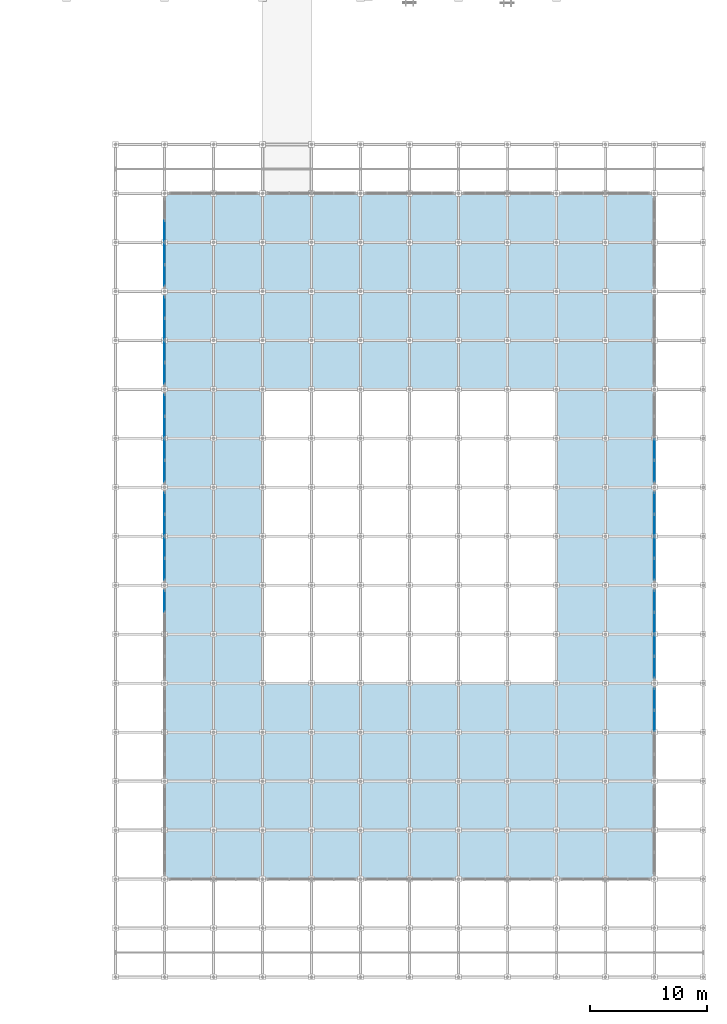
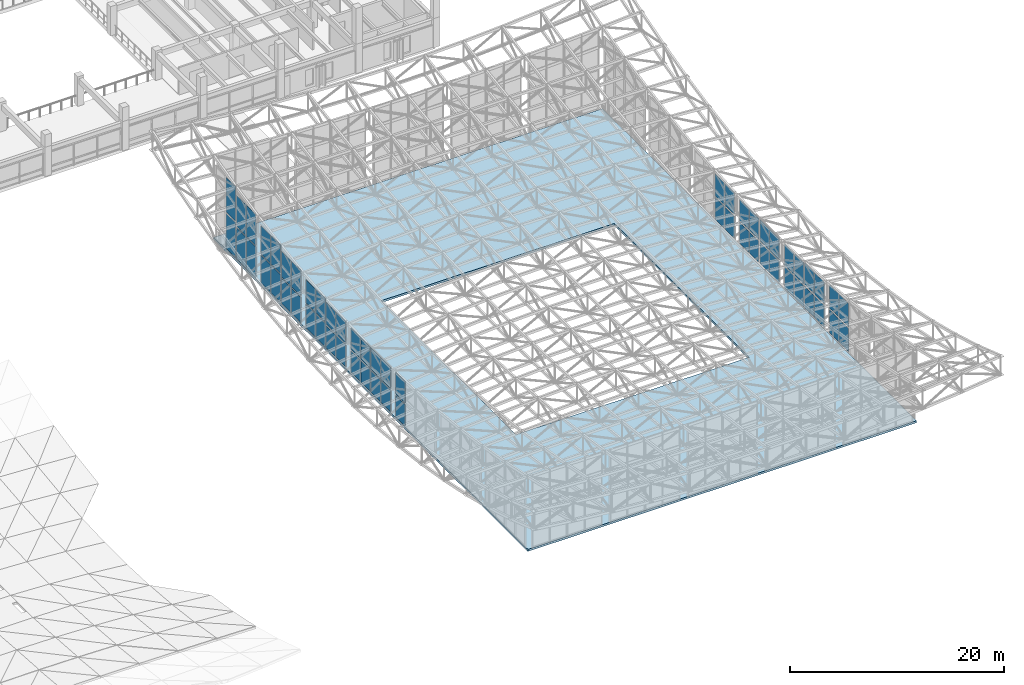
# One storey, part 70 of 123: 56 plates, 1 slab, 15 elements without a shape of their own.
"""IFC4 building model written with IfcOpenShell, lengths in metres."""

from ifc_helpers import new_model, si_unit, direction, frame, origin, origin_2d, place, context, subcontext, project, spatial, polyline, rectangle, outline, extrude, material, layer, layer_set, type_object, element, aggregate, save


model = new_model("IFC4")

# Units and contexts
model_context = context("Model", 3, precision=1e-05, world=origin(), true_north=direction((0.0, 1.0)))
body_context = subcontext(model_context, "Body", "Model", "MODEL_VIEW")
ifc_project = project(units=[si_unit("LENGTHUNIT", "METRE"), si_unit("AREAUNIT", "SQUARE_METRE"), si_unit("VOLUMEUNIT", "CUBIC_METRE"), si_unit("PLANEANGLEUNIT", "RADIAN"), si_unit("MASSUNIT", "GRAM", prefix="KILO")], contexts=[model_context])

# Site, building, storey
site_placement = place(None, origin())
site = spatial("IfcSite", under=ifc_project, at=site_placement, CompositionType="ELEMENT")
building_placement = place(site_placement, origin())
building = spatial("IfcBuilding", under=site, at=building_placement, Name="Cumbredor Promenade Congress Hotel", CompositionType="ELEMENT")
storey_placement = place(building_placement, frame((0.0, 0.0, 11.760009765625)))
storey = spatial("IfcBuildingStorey", under=building, at=storey_placement, Name="L03", CompositionType="ELEMENT", Elevation=11.760009765625)

# Curtain wall, plates
ifc_material_1 = material(Name="Thermally broken anodized aluminium and low-E glass", Category="aluminium")
curtain_wall_type = type_object("IfcCurtainWallType", Name="Stepped Pavilion Clerestory Curtain Wall CW-06", PredefinedType="NOTDEFINED", material=ifc_material_1)
curtain_wall_1_placement = place(storey_placement, origin())
curtain_wall_1 = element("IfcCurtainWall", 1, at=curtain_wall_1_placement, inside=storey, type_object=curtain_wall_type, Name="Grand Ballroom Pavilion W Glazed Clerestory 6", PredefinedType="NOTDEFINED")
ifc_material_2 = material(Name="Laminated low-E solar-control glass", Category="glass")
ifc_layer_1 = layer(ifc_material_2, 0.031982421875, Name="Laminated low-E solar-control glass", Category="glass")
ifc_layer_set_1 = layer_set([ifc_layer_1], Name="Laminated low-E solar-control glass")
plate_type = type_object("IfcPlateType", Name="Clerestory Glazed Vision Panel PNL-07", PredefinedType="CURTAIN_PANEL", material=ifc_layer_set_1)
plate_1_placement = place(storey_placement, frame((142.800048828125, 32.22998046875, 0.169921875), z_axis=(0.0, 0.0, 1.0), x_axis=(0.0, 1.0, 0.0)))
plate_1 = element("IfcPlate", 2, at=plate_1_placement, type_object=plate_type, Name="Grand Ballroom Pavilion W Glazed Clerestory 6 Glazing Panel 2.1", PredefinedType="CURTAIN_PANEL", context=body_context, shape_type="SweptSolid", body=[
    extrude(rectangle(XDim=1.77490234375, YDim=0.031982421875, at=origin_2d()), origin(), (0.0, 0.0, 1.0), 2.43994140625),
])
plate_2_placement = place(storey_placement, frame((142.800048828125, 32.22998046875, 2.7900390625), z_axis=(0.0, 0.0, 1.0), x_axis=(0.0, 1.0, 0.0)))
plate_2 = element("IfcPlate", 3, at=plate_2_placement, type_object=plate_type, Name="Grand Ballroom Pavilion W Glazed Clerestory 6 Glazing Panel 2.2", PredefinedType="CURTAIN_PANEL", context=body_context, shape_type="SweptSolid", body=[
    extrude(rectangle(XDim=1.77490234375, YDim=0.031982421875, at=origin_2d()), origin(), (0.0, 0.0, 1.0), 2.429931640625),
])
aggregate(curtain_wall_1, [plate_1, plate_2])

curtain_wall_2_placement = place(storey_placement, origin())
curtain_wall_2 = element("IfcCurtainWall", 4, at=curtain_wall_2_placement, inside=storey, type_object=curtain_wall_type, Name="Grand Ballroom Pavilion W Glazed Clerestory 7", PredefinedType="NOTDEFINED")
plate_3_placement = place(storey_placement, frame((142.800048828125, 34.969970703125, 0.169921875), z_axis=(0.0, 0.0, 1.0), x_axis=(0.0, 1.0, 0.0)))
plate_3 = element("IfcPlate", 5, at=plate_3_placement, type_object=plate_type, Name="Grand Ballroom Pavilion W Glazed Clerestory 7 Glazing Panel 1.1", PredefinedType="CURTAIN_PANEL", context=body_context, shape_type="SweptSolid", body=[
    extrude(rectangle(XDim=1.77490234375, YDim=0.031982421875, at=origin_2d()), origin(), (0.0, 0.0, 1.0), 2.43994140625),
])
plate_4_placement = place(storey_placement, frame((142.800048828125, 34.969970703125, 2.7900390625), z_axis=(0.0, 0.0, 1.0), x_axis=(0.0, 1.0, 0.0)))
plate_4 = element("IfcPlate", 6, at=plate_4_placement, type_object=plate_type, Name="Grand Ballroom Pavilion W Glazed Clerestory 7 Glazing Panel 1.2", PredefinedType="CURTAIN_PANEL", context=body_context, shape_type="SweptSolid", body=[
    extrude(rectangle(XDim=1.77490234375, YDim=0.031982421875, at=origin_2d()), origin(), (0.0, 0.0, 1.0), 2.429931640625),
])
plate_5_placement = place(storey_placement, frame((142.800048828125, 36.830078125, 0.169921875), z_axis=(0.0, 0.0, 1.0), x_axis=(0.0, 1.0, 0.0)))
plate_5 = element("IfcPlate", 7, at=plate_5_placement, type_object=plate_type, Name="Grand Ballroom Pavilion W Glazed Clerestory 7 Glazing Panel 2.1", PredefinedType="CURTAIN_PANEL", context=body_context, shape_type="SweptSolid", body=[
    extrude(rectangle(XDim=1.77490234375, YDim=0.031982421875, at=origin_2d()), origin(), (0.0, 0.0, 1.0), 2.43994140625),
])
plate_6_placement = place(storey_placement, frame((142.800048828125, 36.830078125, 2.7900390625), z_axis=(0.0, 0.0, 1.0), x_axis=(0.0, 1.0, 0.0)))
plate_6 = element("IfcPlate", 8, at=plate_6_placement, type_object=plate_type, Name="Grand Ballroom Pavilion W Glazed Clerestory 7 Glazing Panel 2.2", PredefinedType="CURTAIN_PANEL", context=body_context, shape_type="SweptSolid", body=[
    extrude(rectangle(XDim=1.77490234375, YDim=0.031982421875, at=origin_2d()), origin(), (0.0, 0.0, 1.0), 2.429931640625),
])
aggregate(curtain_wall_2, [plate_3, plate_4, plate_5, plate_6])

curtain_wall_3_placement = place(storey_placement, origin())
curtain_wall_3 = element("IfcCurtainWall", 9, at=curtain_wall_3_placement, inside=storey, type_object=curtain_wall_type, Name="Grand Ballroom Pavilion W Glazed Clerestory 8", PredefinedType="NOTDEFINED")
plate_7_placement = place(storey_placement, frame((142.800048828125, 38.77001953125, 0.169921875), z_axis=(0.0, 0.0, 1.0), x_axis=(0.0, 1.0, 0.0)))
plate_7 = element("IfcPlate", 10, at=plate_7_placement, type_object=plate_type, Name="Grand Ballroom Pavilion W Glazed Clerestory 8 Glazing Panel 1.1", PredefinedType="CURTAIN_PANEL", context=body_context, shape_type="SweptSolid", body=[
    extrude(rectangle(XDim=1.77490234375, YDim=0.031982421875, at=origin_2d()), origin(), (0.0, 0.0, 1.0), 2.43994140625),
])
plate_8_placement = place(storey_placement, frame((142.800048828125, 38.77001953125, 2.7900390625), z_axis=(0.0, 0.0, 1.0), x_axis=(0.0, 1.0, 0.0)))
plate_8 = element("IfcPlate", 11, at=plate_8_placement, type_object=plate_type, Name="Grand Ballroom Pavilion W Glazed Clerestory 8 Glazing Panel 1.2", PredefinedType="CURTAIN_PANEL", context=body_context, shape_type="SweptSolid", body=[
    extrude(rectangle(XDim=1.77490234375, YDim=0.031982421875, at=origin_2d()), origin(), (0.0, 0.0, 1.0), 2.429931640625),
])
plate_9_placement = place(storey_placement, frame((142.800048828125, 40.6298828125, 0.169921875), z_axis=(0.0, 0.0, 1.0), x_axis=(0.0, 1.0, 0.0)))
plate_9 = element("IfcPlate", 12, at=plate_9_placement, type_object=plate_type, Name="Grand Ballroom Pavilion W Glazed Clerestory 8 Glazing Panel 2.1", PredefinedType="CURTAIN_PANEL", context=body_context, shape_type="SweptSolid", body=[
    extrude(rectangle(XDim=1.77490234375, YDim=0.031982421875, at=origin_2d()), origin(), (0.0, 0.0, 1.0), 2.43994140625),
])
plate_10_placement = place(storey_placement, frame((142.800048828125, 40.6298828125, 2.7900390625), z_axis=(0.0, 0.0, 1.0), x_axis=(0.0, 1.0, 0.0)))
plate_10 = element("IfcPlate", 13, at=plate_10_placement, type_object=plate_type, Name="Grand Ballroom Pavilion W Glazed Clerestory 8 Glazing Panel 2.2", PredefinedType="CURTAIN_PANEL", context=body_context, shape_type="SweptSolid", body=[
    extrude(rectangle(XDim=1.77490234375, YDim=0.031982421875, at=origin_2d()), origin(), (0.0, 0.0, 1.0), 2.429931640625),
])
aggregate(curtain_wall_3, [plate_7, plate_8, plate_9, plate_10])

curtain_wall_4_placement = place(storey_placement, origin())
curtain_wall_4 = element("IfcCurtainWall", 14, at=curtain_wall_4_placement, inside=storey, type_object=curtain_wall_type, Name="Grand Ballroom Pavilion W Glazed Clerestory 9", PredefinedType="NOTDEFINED")
plate_11_placement = place(storey_placement, frame((142.800048828125, 43.3701171875, 0.169921875), z_axis=(0.0, 0.0, 1.0), x_axis=(0.0, 1.0, 0.0)))
plate_11 = element("IfcPlate", 15, at=plate_11_placement, type_object=plate_type, Name="Grand Ballroom Pavilion W Glazed Clerestory 9 Glazing Panel 1.1", PredefinedType="CURTAIN_PANEL", context=body_context, shape_type="SweptSolid", body=[
    extrude(rectangle(XDim=1.77490234375, YDim=0.031982421875, at=origin_2d()), origin(), (0.0, 0.0, 1.0), 2.510009765625),
])
plate_12_placement = place(storey_placement, frame((142.800048828125, 43.3701171875, 2.860107421875), z_axis=(0.0, 0.0, 1.0), x_axis=(0.0, 1.0, 0.0)))
plate_12 = element("IfcPlate", 16, at=plate_12_placement, type_object=plate_type, Name="Grand Ballroom Pavilion W Glazed Clerestory 9 Glazing Panel 1.2", PredefinedType="CURTAIN_PANEL", context=body_context, shape_type="SweptSolid", body=[
    extrude(rectangle(XDim=1.77490234375, YDim=0.031982421875, at=origin_2d()), origin(), (0.0, 0.0, 1.0), 2.5),
])
plate_13_placement = place(storey_placement, frame((142.800048828125, 45.22998046875, 0.169921875), z_axis=(0.0, 0.0, 1.0), x_axis=(0.0, 1.0, 0.0)))
plate_13 = element("IfcPlate", 17, at=plate_13_placement, type_object=plate_type, Name="Grand Ballroom Pavilion W Glazed Clerestory 9 Glazing Panel 2.1", PredefinedType="CURTAIN_PANEL", context=body_context, shape_type="SweptSolid", body=[
    extrude(rectangle(XDim=1.77490234375, YDim=0.031982421875, at=origin_2d()), origin(), (0.0, 0.0, 1.0), 2.510009765625),
])
plate_14_placement = place(storey_placement, frame((142.800048828125, 45.22998046875, 2.860107421875), z_axis=(0.0, 0.0, 1.0), x_axis=(0.0, 1.0, 0.0)))
plate_14 = element("IfcPlate", 18, at=plate_14_placement, type_object=plate_type, Name="Grand Ballroom Pavilion W Glazed Clerestory 9 Glazing Panel 2.2", PredefinedType="CURTAIN_PANEL", context=body_context, shape_type="SweptSolid", body=[
    extrude(rectangle(XDim=1.77490234375, YDim=0.031982421875, at=origin_2d()), origin(), (0.0, 0.0, 1.0), 2.5),
])
aggregate(curtain_wall_4, [plate_11, plate_12, plate_13, plate_14])

curtain_wall_5_placement = place(storey_placement, origin())
curtain_wall_5 = element("IfcCurtainWall", 19, at=curtain_wall_5_placement, inside=storey, type_object=curtain_wall_type, Name="Grand Ballroom Pavilion W Glazed Clerestory 10", PredefinedType="NOTDEFINED")
plate_15_placement = place(storey_placement, frame((142.800048828125, 47.169921875, 0.169921875), z_axis=(0.0, 0.0, 1.0), x_axis=(0.0, 1.0, 0.0)))
plate_15 = element("IfcPlate", 20, at=plate_15_placement, type_object=plate_type, Name="Grand Ballroom Pavilion W Glazed Clerestory 10 Glazing Panel 1.1", PredefinedType="CURTAIN_PANEL", context=body_context, shape_type="SweptSolid", body=[
    extrude(rectangle(XDim=1.77490234375, YDim=0.031982421875, at=origin_2d()), origin(), (0.0, 0.0, 1.0), 2.659912109375),
])
plate_16_placement = place(storey_placement, frame((142.800048828125, 47.169921875, 3.010009765625), z_axis=(0.0, 0.0, 1.0), x_axis=(0.0, 1.0, 0.0)))
plate_16 = element("IfcPlate", 21, at=plate_16_placement, type_object=plate_type, Name="Grand Ballroom Pavilion W Glazed Clerestory 10 Glazing Panel 1.2", PredefinedType="CURTAIN_PANEL", context=body_context, shape_type="SweptSolid", body=[
    extrude(rectangle(XDim=1.77490234375, YDim=0.031982421875, at=origin_2d()), origin(), (0.0, 0.0, 1.0), 2.64990234375),
])
plate_17_placement = place(storey_placement, frame((142.800048828125, 49.030029296875, 0.169921875), z_axis=(0.0, 0.0, 1.0), x_axis=(0.0, 1.0, 0.0)))
plate_17 = element("IfcPlate", 22, at=plate_17_placement, type_object=plate_type, Name="Grand Ballroom Pavilion W Glazed Clerestory 10 Glazing Panel 2.1", PredefinedType="CURTAIN_PANEL", context=body_context, shape_type="SweptSolid", body=[
    extrude(rectangle(XDim=1.77490234375, YDim=0.031982421875, at=origin_2d()), origin(), (0.0, 0.0, 1.0), 2.659912109375),
])
plate_18_placement = place(storey_placement, frame((142.800048828125, 49.030029296875, 3.010009765625), z_axis=(0.0, 0.0, 1.0), x_axis=(0.0, 1.0, 0.0)))
plate_18 = element("IfcPlate", 23, at=plate_18_placement, type_object=plate_type, Name="Grand Ballroom Pavilion W Glazed Clerestory 10 Glazing Panel 2.2", PredefinedType="CURTAIN_PANEL", context=body_context, shape_type="SweptSolid", body=[
    extrude(rectangle(XDim=1.77490234375, YDim=0.031982421875, at=origin_2d()), origin(), (0.0, 0.0, 1.0), 2.64990234375),
])
aggregate(curtain_wall_5, [plate_15, plate_16, plate_17, plate_18])

curtain_wall_6_placement = place(storey_placement, origin())
curtain_wall_6 = element("IfcCurtainWall", 24, at=curtain_wall_6_placement, inside=storey, type_object=curtain_wall_type, Name="Grand Ballroom Pavilion W Glazed Clerestory 11", PredefinedType="NOTDEFINED")
plate_19_placement = place(storey_placement, frame((142.800048828125, 51.77001953125, 0.169921875), z_axis=(0.0, 0.0, 1.0), x_axis=(0.0, 1.0, 0.0)))
plate_19 = element("IfcPlate", 25, at=plate_19_placement, type_object=plate_type, Name="Grand Ballroom Pavilion W Glazed Clerestory 11 Glazing Panel 1.1", PredefinedType="CURTAIN_PANEL", context=body_context, shape_type="SweptSolid", body=[
    extrude(rectangle(XDim=1.77490234375, YDim=0.031982421875, at=origin_2d()), origin(), (0.0, 0.0, 1.0), 2.8701171875),
])
plate_20_placement = place(storey_placement, frame((142.800048828125, 51.77001953125, 3.219970703125), z_axis=(0.0, 0.0, 1.0), x_axis=(0.0, 1.0, 0.0)))
plate_20 = element("IfcPlate", 26, at=plate_20_placement, type_object=plate_type, Name="Grand Ballroom Pavilion W Glazed Clerestory 11 Glazing Panel 1.2", PredefinedType="CURTAIN_PANEL", context=body_context, shape_type="SweptSolid", body=[
    extrude(rectangle(XDim=1.77490234375, YDim=0.031982421875, at=origin_2d()), origin(), (0.0, 0.0, 1.0), 2.8701171875),
])
plate_21_placement = place(storey_placement, frame((142.800048828125, 53.6298828125, 0.169921875), z_axis=(0.0, 0.0, 1.0), x_axis=(0.0, 1.0, 0.0)))
plate_21 = element("IfcPlate", 27, at=plate_21_placement, type_object=plate_type, Name="Grand Ballroom Pavilion W Glazed Clerestory 11 Glazing Panel 2.1", PredefinedType="CURTAIN_PANEL", context=body_context, shape_type="SweptSolid", body=[
    extrude(rectangle(XDim=1.77490234375, YDim=0.031982421875, at=origin_2d()), origin(), (0.0, 0.0, 1.0), 2.8701171875),
])
plate_22_placement = place(storey_placement, frame((142.800048828125, 53.6298828125, 3.219970703125), z_axis=(0.0, 0.0, 1.0), x_axis=(0.0, 1.0, 0.0)))
plate_22 = element("IfcPlate", 28, at=plate_22_placement, type_object=plate_type, Name="Grand Ballroom Pavilion W Glazed Clerestory 11 Glazing Panel 2.2", PredefinedType="CURTAIN_PANEL", context=body_context, shape_type="SweptSolid", body=[
    extrude(rectangle(XDim=1.77490234375, YDim=0.031982421875, at=origin_2d()), origin(), (0.0, 0.0, 1.0), 2.8701171875),
])
aggregate(curtain_wall_6, [plate_19, plate_20, plate_21, plate_22])

curtain_wall_7_placement = place(storey_placement, origin())
curtain_wall_7 = element("IfcCurtainWall", 29, at=curtain_wall_7_placement, inside=storey, type_object=curtain_wall_type, Name="Grand Ballroom Pavilion W Glazed Clerestory 12", PredefinedType="NOTDEFINED")
plate_23_placement = place(storey_placement, frame((142.800048828125, 55.570068359375, 0.169921875), z_axis=(0.0, 0.0, 1.0), x_axis=(0.0, 1.0, 0.0)))
plate_23 = element("IfcPlate", 30, at=plate_23_placement, type_object=plate_type, Name="Grand Ballroom Pavilion W Glazed Clerestory 12 Glazing Panel 1.1", PredefinedType="CURTAIN_PANEL", context=body_context, shape_type="SweptSolid", body=[
    extrude(rectangle(XDim=1.77490234375, YDim=0.031982421875, at=origin_2d()), origin(), (0.0, 0.0, 1.0), 3.169921875),
])
plate_24_placement = place(storey_placement, frame((142.800048828125, 55.570068359375, 3.52001953125), z_axis=(0.0, 0.0, 1.0), x_axis=(0.0, 1.0, 0.0)))
plate_24 = element("IfcPlate", 31, at=plate_24_placement, type_object=plate_type, Name="Grand Ballroom Pavilion W Glazed Clerestory 12 Glazing Panel 1.2", PredefinedType="CURTAIN_PANEL", context=body_context, shape_type="SweptSolid", body=[
    extrude(rectangle(XDim=1.77490234375, YDim=0.031982421875, at=origin_2d()), origin(), (0.0, 0.0, 1.0), 3.159912109375),
])
plate_25_placement = place(storey_placement, frame((142.800048828125, 57.429931640625, 0.169921875), z_axis=(0.0, 0.0, 1.0), x_axis=(0.0, 1.0, 0.0)))
plate_25 = element("IfcPlate", 32, at=plate_25_placement, type_object=plate_type, Name="Grand Ballroom Pavilion W Glazed Clerestory 12 Glazing Panel 2.1", PredefinedType="CURTAIN_PANEL", context=body_context, shape_type="SweptSolid", body=[
    extrude(rectangle(XDim=1.77490234375, YDim=0.031982421875, at=origin_2d()), origin(), (0.0, 0.0, 1.0), 3.169921875),
])
plate_26_placement = place(storey_placement, frame((142.800048828125, 57.429931640625, 3.52001953125), z_axis=(0.0, 0.0, 1.0), x_axis=(0.0, 1.0, 0.0)))
plate_26 = element("IfcPlate", 33, at=plate_26_placement, type_object=plate_type, Name="Grand Ballroom Pavilion W Glazed Clerestory 12 Glazing Panel 2.2", PredefinedType="CURTAIN_PANEL", context=body_context, shape_type="SweptSolid", body=[
    extrude(rectangle(XDim=1.77490234375, YDim=0.031982421875, at=origin_2d()), origin(), (0.0, 0.0, 1.0), 3.159912109375),
])
aggregate(curtain_wall_7, [plate_23, plate_24, plate_25, plate_26])

curtain_wall_8_placement = place(storey_placement, origin())
curtain_wall_8 = element("IfcCurtainWall", 34, at=curtain_wall_8_placement, inside=storey, type_object=curtain_wall_type, Name="Grand Ballroom Pavilion W Glazed Clerestory 13", PredefinedType="NOTDEFINED")
plate_27_placement = place(storey_placement, frame((142.800048828125, 60.169921875, 0.169921875), z_axis=(0.0, 0.0, 1.0), x_axis=(0.0, 1.0, 0.0)))
plate_27 = element("IfcPlate", 35, at=plate_27_placement, type_object=plate_type, Name="Grand Ballroom Pavilion W Glazed Clerestory 13 Glazing Panel 1.1", PredefinedType="CURTAIN_PANEL", context=body_context, shape_type="SweptSolid", body=[
    extrude(rectangle(XDim=1.77490234375, YDim=0.031982421875, at=origin_2d()), origin(), (0.0, 0.0, 1.0), 3.530029296875),
])
plate_28_placement = place(storey_placement, frame((142.800048828125, 60.169921875, 3.8798828125), z_axis=(0.0, 0.0, 1.0), x_axis=(0.0, 1.0, 0.0)))
plate_28 = element("IfcPlate", 36, at=plate_28_placement, type_object=plate_type, Name="Grand Ballroom Pavilion W Glazed Clerestory 13 Glazing Panel 1.2", PredefinedType="CURTAIN_PANEL", context=body_context, shape_type="SweptSolid", body=[
    extrude(rectangle(XDim=1.77490234375, YDim=0.031982421875, at=origin_2d()), origin(), (0.0, 0.0, 1.0), 3.530029296875),
])
plate_29_placement = place(storey_placement, frame((142.800048828125, 62.030029296875, 0.169921875), z_axis=(0.0, 0.0, 1.0), x_axis=(0.0, 1.0, 0.0)))
plate_29 = element("IfcPlate", 37, at=plate_29_placement, type_object=plate_type, Name="Grand Ballroom Pavilion W Glazed Clerestory 13 Glazing Panel 2.1", PredefinedType="CURTAIN_PANEL", context=body_context, shape_type="SweptSolid", body=[
    extrude(rectangle(XDim=1.77490234375, YDim=0.031982421875, at=origin_2d()), origin(), (0.0, 0.0, 1.0), 3.530029296875),
])
plate_30_placement = place(storey_placement, frame((142.800048828125, 62.030029296875, 3.8798828125), z_axis=(0.0, 0.0, 1.0), x_axis=(0.0, 1.0, 0.0)))
plate_30 = element("IfcPlate", 38, at=plate_30_placement, type_object=plate_type, Name="Grand Ballroom Pavilion W Glazed Clerestory 13 Glazing Panel 2.2", PredefinedType="CURTAIN_PANEL", context=body_context, shape_type="SweptSolid", body=[
    extrude(rectangle(XDim=1.77490234375, YDim=0.031982421875, at=origin_2d()), origin(), (0.0, 0.0, 1.0), 3.530029296875),
])
aggregate(curtain_wall_8, [plate_27, plate_28, plate_29, plate_30])

curtain_wall_9_placement = place(storey_placement, origin())
curtain_wall_9 = element("IfcCurtainWall", 39, at=curtain_wall_9_placement, inside=storey, type_object=curtain_wall_type, Name="Grand Ballroom Pavilion W Glazed Clerestory 14", PredefinedType="NOTDEFINED")
plate_31_placement = place(storey_placement, frame((142.800048828125, 63.969970703125, 0.169921875), z_axis=(0.0, 0.0, 1.0), x_axis=(0.0, 1.0, 0.0)))
plate_31 = element("IfcPlate", 40, at=plate_31_placement, type_object=plate_type, Name="Grand Ballroom Pavilion W Glazed Clerestory 14 Glazing Panel 1.1", PredefinedType="CURTAIN_PANEL", context=body_context, shape_type="SweptSolid", body=[
    extrude(rectangle(XDim=1.77490234375, YDim=0.031982421875, at=origin_2d()), origin(), (0.0, 0.0, 1.0), 3.969970703125),
])
plate_32_placement = place(storey_placement, frame((142.800048828125, 63.969970703125, 4.31982421875), z_axis=(0.0, 0.0, 1.0), x_axis=(0.0, 1.0, 0.0)))
plate_32 = element("IfcPlate", 41, at=plate_32_placement, type_object=plate_type, Name="Grand Ballroom Pavilion W Glazed Clerestory 14 Glazing Panel 1.2", PredefinedType="CURTAIN_PANEL", context=body_context, shape_type="SweptSolid", body=[
    extrude(rectangle(XDim=1.77490234375, YDim=0.031982421875, at=origin_2d()), origin(), (0.0, 0.0, 1.0), 3.969970703125),
])
aggregate(curtain_wall_9, [plate_31, plate_32])

curtain_wall_10_placement = place(storey_placement, origin())
curtain_wall_10 = element("IfcCurtainWall", 42, at=curtain_wall_10_placement, inside=storey, type_object=curtain_wall_type, Name="Grand Ballroom Pavilion E Glazed Clerestory 4", PredefinedType="NOTDEFINED")
plate_33_placement = place(storey_placement, frame((184.800048828125, 21.969970703125, 0.169921875), z_axis=(0.0, 0.0, 1.0), x_axis=(0.0, 1.0, 0.0)))
plate_33 = element("IfcPlate", 43, at=plate_33_placement, type_object=plate_type, Name="Grand Ballroom Pavilion E Glazed Clerestory 4 Glazing Panel 1.1", PredefinedType="CURTAIN_PANEL", context=body_context, shape_type="SweptSolid", body=[
    extrude(rectangle(XDim=1.77490234375, YDim=0.031982421875, at=origin_2d()), origin(), (0.0, 0.0, 1.0), 2.659912109375),
])
plate_34_placement = place(storey_placement, frame((184.800048828125, 21.969970703125, 3.010009765625), z_axis=(0.0, 0.0, 1.0), x_axis=(0.0, 1.0, 0.0)))
plate_34 = element("IfcPlate", 44, at=plate_34_placement, type_object=plate_type, Name="Grand Ballroom Pavilion E Glazed Clerestory 4 Glazing Panel 1.2", PredefinedType="CURTAIN_PANEL", context=body_context, shape_type="SweptSolid", body=[
    extrude(rectangle(XDim=1.77490234375, YDim=0.031982421875, at=origin_2d()), origin(), (0.0, 0.0, 1.0), 2.64990234375),
])
plate_35_placement = place(storey_placement, frame((184.800048828125, 23.830078125, 0.169921875), z_axis=(0.0, 0.0, 1.0), x_axis=(0.0, 1.0, 0.0)))
plate_35 = element("IfcPlate", 45, at=plate_35_placement, type_object=plate_type, Name="Grand Ballroom Pavilion E Glazed Clerestory 4 Glazing Panel 2.1", PredefinedType="CURTAIN_PANEL", context=body_context, shape_type="SweptSolid", body=[
    extrude(rectangle(XDim=1.77490234375, YDim=0.031982421875, at=origin_2d()), origin(), (0.0, 0.0, 1.0), 2.659912109375),
])
plate_36_placement = place(storey_placement, frame((184.800048828125, 23.830078125, 3.010009765625), z_axis=(0.0, 0.0, 1.0), x_axis=(0.0, 1.0, 0.0)))
plate_36 = element("IfcPlate", 46, at=plate_36_placement, type_object=plate_type, Name="Grand Ballroom Pavilion E Glazed Clerestory 4 Glazing Panel 2.2", PredefinedType="CURTAIN_PANEL", context=body_context, shape_type="SweptSolid", body=[
    extrude(rectangle(XDim=1.77490234375, YDim=0.031982421875, at=origin_2d()), origin(), (0.0, 0.0, 1.0), 2.64990234375),
])
aggregate(curtain_wall_10, [plate_33, plate_34, plate_35, plate_36])

curtain_wall_11_placement = place(storey_placement, origin())
curtain_wall_11 = element("IfcCurtainWall", 47, at=curtain_wall_11_placement, inside=storey, type_object=curtain_wall_type, Name="Grand Ballroom Pavilion E Glazed Clerestory 5", PredefinedType="NOTDEFINED")
plate_37_placement = place(storey_placement, frame((184.800048828125, 26.570068359375, 0.169921875), z_axis=(0.0, 0.0, 1.0), x_axis=(0.0, 1.0, 0.0)))
plate_37 = element("IfcPlate", 48, at=plate_37_placement, type_object=plate_type, Name="Grand Ballroom Pavilion E Glazed Clerestory 5 Glazing Panel 1.1", PredefinedType="CURTAIN_PANEL", context=body_context, shape_type="SweptSolid", body=[
    extrude(rectangle(XDim=1.77490234375, YDim=0.031982421875, at=origin_2d()), origin(), (0.0, 0.0, 1.0), 2.510009765625),
])
plate_38_placement = place(storey_placement, frame((184.800048828125, 26.570068359375, 2.860107421875), z_axis=(0.0, 0.0, 1.0), x_axis=(0.0, 1.0, 0.0)))
plate_38 = element("IfcPlate", 49, at=plate_38_placement, type_object=plate_type, Name="Grand Ballroom Pavilion E Glazed Clerestory 5 Glazing Panel 1.2", PredefinedType="CURTAIN_PANEL", context=body_context, shape_type="SweptSolid", body=[
    extrude(rectangle(XDim=1.77490234375, YDim=0.031982421875, at=origin_2d()), origin(), (0.0, 0.0, 1.0), 2.5),
])
plate_39_placement = place(storey_placement, frame((184.800048828125, 28.429931640625, 0.169921875), z_axis=(0.0, 0.0, 1.0), x_axis=(0.0, 1.0, 0.0)))
plate_39 = element("IfcPlate", 50, at=plate_39_placement, type_object=plate_type, Name="Grand Ballroom Pavilion E Glazed Clerestory 5 Glazing Panel 2.1", PredefinedType="CURTAIN_PANEL", context=body_context, shape_type="SweptSolid", body=[
    extrude(rectangle(XDim=1.77490234375, YDim=0.031982421875, at=origin_2d()), origin(), (0.0, 0.0, 1.0), 2.510009765625),
])
plate_40_placement = place(storey_placement, frame((184.800048828125, 28.429931640625, 2.860107421875), z_axis=(0.0, 0.0, 1.0), x_axis=(0.0, 1.0, 0.0)))
plate_40 = element("IfcPlate", 51, at=plate_40_placement, type_object=plate_type, Name="Grand Ballroom Pavilion E Glazed Clerestory 5 Glazing Panel 2.2", PredefinedType="CURTAIN_PANEL", context=body_context, shape_type="SweptSolid", body=[
    extrude(rectangle(XDim=1.77490234375, YDim=0.031982421875, at=origin_2d()), origin(), (0.0, 0.0, 1.0), 2.5),
])
aggregate(curtain_wall_11, [plate_37, plate_38, plate_39, plate_40])

curtain_wall_12_placement = place(storey_placement, origin())
curtain_wall_12 = element("IfcCurtainWall", 52, at=curtain_wall_12_placement, inside=storey, type_object=curtain_wall_type, Name="Grand Ballroom Pavilion E Glazed Clerestory 6", PredefinedType="NOTDEFINED")
plate_41_placement = place(storey_placement, frame((184.800048828125, 30.3701171875, 0.169921875), z_axis=(0.0, 0.0, 1.0), x_axis=(0.0, 1.0, 0.0)))
plate_41 = element("IfcPlate", 53, at=plate_41_placement, type_object=plate_type, Name="Grand Ballroom Pavilion E Glazed Clerestory 6 Glazing Panel 1.1", PredefinedType="CURTAIN_PANEL", context=body_context, shape_type="SweptSolid", body=[
    extrude(rectangle(XDim=1.77490234375, YDim=0.031982421875, at=origin_2d()), origin(), (0.0, 0.0, 1.0), 2.43994140625),
])
plate_42_placement = place(storey_placement, frame((184.800048828125, 30.3701171875, 2.7900390625), z_axis=(0.0, 0.0, 1.0), x_axis=(0.0, 1.0, 0.0)))
plate_42 = element("IfcPlate", 54, at=plate_42_placement, type_object=plate_type, Name="Grand Ballroom Pavilion E Glazed Clerestory 6 Glazing Panel 1.2", PredefinedType="CURTAIN_PANEL", context=body_context, shape_type="SweptSolid", body=[
    extrude(rectangle(XDim=1.77490234375, YDim=0.031982421875, at=origin_2d()), origin(), (0.0, 0.0, 1.0), 2.429931640625),
])
plate_43_placement = place(storey_placement, frame((184.800048828125, 32.22998046875, 0.169921875), z_axis=(0.0, 0.0, 1.0), x_axis=(0.0, 1.0, 0.0)))
plate_43 = element("IfcPlate", 55, at=plate_43_placement, type_object=plate_type, Name="Grand Ballroom Pavilion E Glazed Clerestory 6 Glazing Panel 2.1", PredefinedType="CURTAIN_PANEL", context=body_context, shape_type="SweptSolid", body=[
    extrude(rectangle(XDim=1.77490234375, YDim=0.031982421875, at=origin_2d()), origin(), (0.0, 0.0, 1.0), 2.43994140625),
])
plate_44_placement = place(storey_placement, frame((184.800048828125, 32.22998046875, 2.7900390625), z_axis=(0.0, 0.0, 1.0), x_axis=(0.0, 1.0, 0.0)))
plate_44 = element("IfcPlate", 56, at=plate_44_placement, type_object=plate_type, Name="Grand Ballroom Pavilion E Glazed Clerestory 6 Glazing Panel 2.2", PredefinedType="CURTAIN_PANEL", context=body_context, shape_type="SweptSolid", body=[
    extrude(rectangle(XDim=1.77490234375, YDim=0.031982421875, at=origin_2d()), origin(), (0.0, 0.0, 1.0), 2.429931640625),
])
aggregate(curtain_wall_12, [plate_41, plate_42, plate_43, plate_44])

curtain_wall_13_placement = place(storey_placement, origin())
curtain_wall_13 = element("IfcCurtainWall", 57, at=curtain_wall_13_placement, inside=storey, type_object=curtain_wall_type, Name="Grand Ballroom Pavilion E Glazed Clerestory 7", PredefinedType="NOTDEFINED")
plate_45_placement = place(storey_placement, frame((184.800048828125, 34.969970703125, 0.169921875), z_axis=(0.0, 0.0, 1.0), x_axis=(0.0, 1.0, 0.0)))
plate_45 = element("IfcPlate", 58, at=plate_45_placement, type_object=plate_type, Name="Grand Ballroom Pavilion E Glazed Clerestory 7 Glazing Panel 1.1", PredefinedType="CURTAIN_PANEL", context=body_context, shape_type="SweptSolid", body=[
    extrude(rectangle(XDim=1.77490234375, YDim=0.031982421875, at=origin_2d()), origin(), (0.0, 0.0, 1.0), 2.43994140625),
])
plate_46_placement = place(storey_placement, frame((184.800048828125, 34.969970703125, 2.7900390625), z_axis=(0.0, 0.0, 1.0), x_axis=(0.0, 1.0, 0.0)))
plate_46 = element("IfcPlate", 59, at=plate_46_placement, type_object=plate_type, Name="Grand Ballroom Pavilion E Glazed Clerestory 7 Glazing Panel 1.2", PredefinedType="CURTAIN_PANEL", context=body_context, shape_type="SweptSolid", body=[
    extrude(rectangle(XDim=1.77490234375, YDim=0.031982421875, at=origin_2d()), origin(), (0.0, 0.0, 1.0), 2.429931640625),
])
plate_47_placement = place(storey_placement, frame((184.800048828125, 36.830078125, 0.169921875), z_axis=(0.0, 0.0, 1.0), x_axis=(0.0, 1.0, 0.0)))
plate_47 = element("IfcPlate", 60, at=plate_47_placement, type_object=plate_type, Name="Grand Ballroom Pavilion E Glazed Clerestory 7 Glazing Panel 2.1", PredefinedType="CURTAIN_PANEL", context=body_context, shape_type="SweptSolid", body=[
    extrude(rectangle(XDim=1.77490234375, YDim=0.031982421875, at=origin_2d()), origin(), (0.0, 0.0, 1.0), 2.43994140625),
])
plate_48_placement = place(storey_placement, frame((184.800048828125, 36.830078125, 2.7900390625), z_axis=(0.0, 0.0, 1.0), x_axis=(0.0, 1.0, 0.0)))
plate_48 = element("IfcPlate", 61, at=plate_48_placement, type_object=plate_type, Name="Grand Ballroom Pavilion E Glazed Clerestory 7 Glazing Panel 2.2", PredefinedType="CURTAIN_PANEL", context=body_context, shape_type="SweptSolid", body=[
    extrude(rectangle(XDim=1.77490234375, YDim=0.031982421875, at=origin_2d()), origin(), (0.0, 0.0, 1.0), 2.429931640625),
])
aggregate(curtain_wall_13, [plate_45, plate_46, plate_47, plate_48])

curtain_wall_14_placement = place(storey_placement, origin())
curtain_wall_14 = element("IfcCurtainWall", 62, at=curtain_wall_14_placement, inside=storey, type_object=curtain_wall_type, Name="Grand Ballroom Pavilion E Glazed Clerestory 8", PredefinedType="NOTDEFINED")
plate_49_placement = place(storey_placement, frame((184.800048828125, 38.77001953125, 0.169921875), z_axis=(0.0, 0.0, 1.0), x_axis=(0.0, 1.0, 0.0)))
plate_49 = element("IfcPlate", 63, at=plate_49_placement, type_object=plate_type, Name="Grand Ballroom Pavilion E Glazed Clerestory 8 Glazing Panel 1.1", PredefinedType="CURTAIN_PANEL", context=body_context, shape_type="SweptSolid", body=[
    extrude(rectangle(XDim=1.77490234375, YDim=0.031982421875, at=origin_2d()), origin(), (0.0, 0.0, 1.0), 2.43994140625),
])
plate_50_placement = place(storey_placement, frame((184.800048828125, 38.77001953125, 2.7900390625), z_axis=(0.0, 0.0, 1.0), x_axis=(0.0, 1.0, 0.0)))
plate_50 = element("IfcPlate", 64, at=plate_50_placement, type_object=plate_type, Name="Grand Ballroom Pavilion E Glazed Clerestory 8 Glazing Panel 1.2", PredefinedType="CURTAIN_PANEL", context=body_context, shape_type="SweptSolid", body=[
    extrude(rectangle(XDim=1.77490234375, YDim=0.031982421875, at=origin_2d()), origin(), (0.0, 0.0, 1.0), 2.429931640625),
])
plate_51_placement = place(storey_placement, frame((184.800048828125, 40.6298828125, 0.169921875), z_axis=(0.0, 0.0, 1.0), x_axis=(0.0, 1.0, 0.0)))
plate_51 = element("IfcPlate", 65, at=plate_51_placement, type_object=plate_type, Name="Grand Ballroom Pavilion E Glazed Clerestory 8 Glazing Panel 2.1", PredefinedType="CURTAIN_PANEL", context=body_context, shape_type="SweptSolid", body=[
    extrude(rectangle(XDim=1.77490234375, YDim=0.031982421875, at=origin_2d()), origin(), (0.0, 0.0, 1.0), 2.43994140625),
])
plate_52_placement = place(storey_placement, frame((184.800048828125, 40.6298828125, 2.7900390625), z_axis=(0.0, 0.0, 1.0), x_axis=(0.0, 1.0, 0.0)))
plate_52 = element("IfcPlate", 66, at=plate_52_placement, type_object=plate_type, Name="Grand Ballroom Pavilion E Glazed Clerestory 8 Glazing Panel 2.2", PredefinedType="CURTAIN_PANEL", context=body_context, shape_type="SweptSolid", body=[
    extrude(rectangle(XDim=1.77490234375, YDim=0.031982421875, at=origin_2d()), origin(), (0.0, 0.0, 1.0), 2.429931640625),
])
aggregate(curtain_wall_14, [plate_49, plate_50, plate_51, plate_52])

curtain_wall_15_placement = place(storey_placement, origin())
curtain_wall_15 = element("IfcCurtainWall", 67, at=curtain_wall_15_placement, inside=storey, type_object=curtain_wall_type, Name="Grand Ballroom Pavilion E Glazed Clerestory 9", PredefinedType="NOTDEFINED")
plate_53_placement = place(storey_placement, frame((184.800048828125, 43.3701171875, 0.169921875), z_axis=(0.0, 0.0, 1.0), x_axis=(0.0, 1.0, 0.0)))
plate_53 = element("IfcPlate", 68, at=plate_53_placement, type_object=plate_type, Name="Grand Ballroom Pavilion E Glazed Clerestory 9 Glazing Panel 1.1", PredefinedType="CURTAIN_PANEL", context=body_context, shape_type="SweptSolid", body=[
    extrude(rectangle(XDim=1.77490234375, YDim=0.031982421875, at=origin_2d()), origin(), (0.0, 0.0, 1.0), 2.510009765625),
])
plate_54_placement = place(storey_placement, frame((184.800048828125, 43.3701171875, 2.860107421875), z_axis=(0.0, 0.0, 1.0), x_axis=(0.0, 1.0, 0.0)))
plate_54 = element("IfcPlate", 69, at=plate_54_placement, type_object=plate_type, Name="Grand Ballroom Pavilion E Glazed Clerestory 9 Glazing Panel 1.2", PredefinedType="CURTAIN_PANEL", context=body_context, shape_type="SweptSolid", body=[
    extrude(rectangle(XDim=1.77490234375, YDim=0.031982421875, at=origin_2d()), origin(), (0.0, 0.0, 1.0), 2.5),
])
plate_55_placement = place(storey_placement, frame((184.800048828125, 45.22998046875, 0.169921875), z_axis=(0.0, 0.0, 1.0), x_axis=(0.0, 1.0, 0.0)))
plate_55 = element("IfcPlate", 70, at=plate_55_placement, type_object=plate_type, Name="Grand Ballroom Pavilion E Glazed Clerestory 9 Glazing Panel 2.1", PredefinedType="CURTAIN_PANEL", context=body_context, shape_type="SweptSolid", body=[
    extrude(rectangle(XDim=1.77490234375, YDim=0.031982421875, at=origin_2d()), origin(), (0.0, 0.0, 1.0), 2.510009765625),
])
plate_56_placement = place(storey_placement, frame((184.800048828125, 45.22998046875, 2.860107421875), z_axis=(0.0, 0.0, 1.0), x_axis=(0.0, 1.0, 0.0)))
plate_56 = element("IfcPlate", 71, at=plate_56_placement, type_object=plate_type, Name="Grand Ballroom Pavilion E Glazed Clerestory 9 Glazing Panel 2.2", PredefinedType="CURTAIN_PANEL", context=body_context, shape_type="SweptSolid", body=[
    extrude(rectangle(XDim=1.77490234375, YDim=0.031982421875, at=origin_2d()), origin(), (0.0, 0.0, 1.0), 2.5),
])
aggregate(curtain_wall_15, [plate_53, plate_54, plate_55, plate_56])

# Slab
ifc_material_3 = material(Name="Concrete C40/50", Category="concrete")
ifc_layer_2 = layer(ifc_material_3, 0.235107421875, Name="Concrete C40/50", Category="concrete")
ifc_layer_set_2 = layer_set([ifc_layer_2], Name="Concrete C40/50")
slab_type = type_object("IfcSlabType", Name="Pavilion Structural Ceiling Slab 235mm", PredefinedType="ROOF", material=ifc_layer_set_2)
slab_placement = place(storey_placement, frame((0.0, 0.0, -0.235107421875)))
element("IfcSlab", 72, at=slab_placement, inside=storey, type_object=slab_type, Name="Grand Ballroom Pavilion Top-Floor Structural Ceiling Slab", PredefinedType="ROOF", context=body_context, shape_type="SweptSolid", body=[
    extrude(outline(polyline([(142.800048828125, 8.39990234375), (184.800048828125, 8.39990234375), (184.800048828125, 67.199951171875), (142.800048828125, 67.199951171875), (142.800048828125, 8.39990234375)]), holes=[polyline([(151.199951171875, 25.199951171875), (176.39990234375, 25.199951171875), (176.39990234375, 50.39990234375), (151.199951171875, 50.39990234375), (151.199951171875, 25.199951171875)])]), origin(), (0.0, 0.0, 1.0), 0.235107421875),
])

save(model, "model.ifc")
